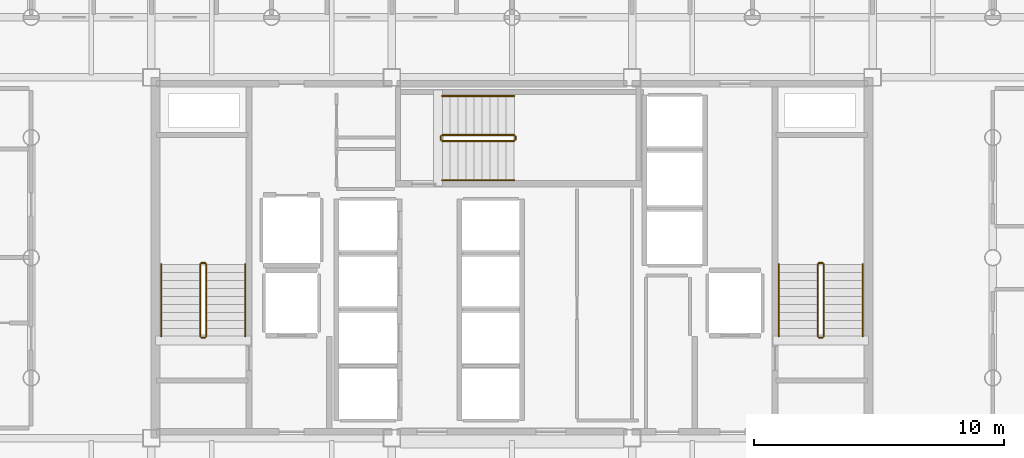
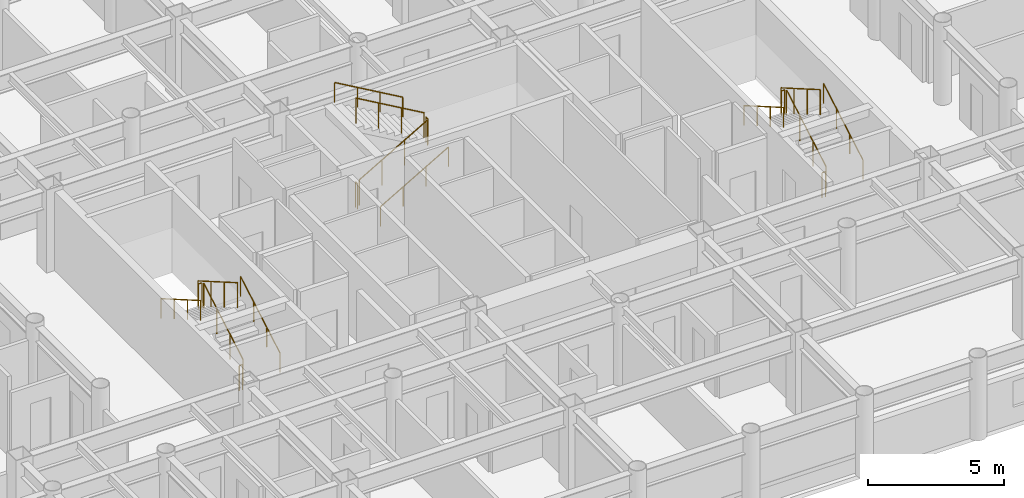
# One storey, part 22 of 22: 18 railings.
"""IFC4 building model written with IfcOpenShell, lengths in metres."""

from ifc_helpers import new_model, si_unit, direction, frame, origin, origin_2d, place, context, subcontext, project, spatial, circle, extrude, material, layer, layer_set, type_object, element, save


model = new_model("IFC4")

# Units and contexts
model_context = context("Model", 3, precision=1e-05, world=origin(), true_north=direction((0.0, 1.0)))
body_context = subcontext(model_context, "Body", "Model", "MODEL_VIEW")
ifc_project = project(units=[si_unit("LENGTHUNIT", "METRE"), si_unit("AREAUNIT", "SQUARE_METRE"), si_unit("VOLUMEUNIT", "CUBIC_METRE"), si_unit("PLANEANGLEUNIT", "RADIAN"), si_unit("MASSUNIT", "GRAM", prefix="KILO")], contexts=[model_context])

# Site, building, storey
site_placement = place(None, origin())
site = spatial("IfcSite", under=ifc_project, at=site_placement, CompositionType="ELEMENT")
building_placement = place(site_placement, origin())
building = spatial("IfcBuilding", under=site, at=building_placement, Name="Kallvorn Hotel Tower", CompositionType="ELEMENT")
storey_placement = place(building_placement, frame((0.0, 0.0, 110.0)))
storey = spatial("IfcBuildingStorey", under=building, at=storey_placement, Name="L26", CompositionType="ELEMENT", Elevation=110.0)

# Railings
ifc_material_1 = material(Name="Brushed stainless-steel tubular railing", Category="steel")
ifc_layer_1 = layer(ifc_material_1, 0.050048828125)
ifc_layer_set_1 = layer_set([ifc_layer_1], Name="RL_STAIR_GUARD")
railing_type_1 = type_object("IfcRailingType", Name="RL_STAIR_GUARD", PredefinedType="GUARDRAIL", material=ifc_layer_set_1)
railing_1_placement = place(storey_placement, frame((-12.2099609375, -3.139892578125, 0.18505859375)))
element("IfcRailing", 1, at=railing_1_placement, inside=storey, type_object=railing_type_1, Name="L26 ST1 stair guard 1", PredefinedType="GUARDRAIL", context=body_context, shape_type="SweptSolid", body=[
    extrude(circle(Radius=0.02392578125, at=origin_2d()), frame((0.0, 0.0, 1.1259765625), z_axis=(0.0, 0.865720918037, 0.500527014328), x_axis=(-1.0, 0.0, 0.0)), (0.0, 0.0, 1.0), 3.32666015625),
    extrude(circle(Radius=0.02099609375, at=origin_2d()), origin(), (0.0, 0.0, 1.0), 1.101806640625),
    extrude(circle(Radius=0.02099609375, at=origin_2d()), frame((0.0, 0.9599609375, 0.554931640625)), (0.0, 0.0, 1.0), 1.101806640625),
    extrude(circle(Radius=0.02099609375, at=origin_2d()), frame((0.0, 1.919921875, 1.110107421875)), (0.0, 0.0, 1.0), 1.101806640625),
    extrude(circle(Radius=0.02099609375, at=origin_2d()), frame((0.0, 2.8798828125, 1.6650390625)), (0.0, 0.0, 1.0), 1.101806640625),
])
railing_2_placement = place(storey_placement, frame((-12.260009765625, -0.2099609375, 1.85009765625)))
element("IfcRailing", 2, at=railing_2_placement, inside=storey, type_object=railing_type_1, Name="L26 ST1 stair guard 2", PredefinedType="GUARDRAIL", context=body_context, shape_type="SweptSolid", body=[
    extrude(circle(Radius=0.02392578125, at=origin_2d()), frame((0.0, 0.0, 1.1259765625), z_axis=(-1.0, 0.0, 0.0), x_axis=(0.0, -1.0, 0.0)), (0.0, 0.0, 1.0), 0.139892578125),
    extrude(circle(Radius=0.02099609375, at=origin_2d()), origin(), (0.0, 0.0, 1.0), 1.101806640625),
    extrude(circle(Radius=0.02099609375, at=origin_2d()), frame((-0.139892578125, 0.0, 0.0)), (0.0, 0.0, 1.0), 1.101806640625),
])
railing_3_placement = place(storey_placement, frame((-12.449951171875, -0.260009765625, 2.034912109375)))
element("IfcRailing", 3, at=railing_3_placement, inside=storey, type_object=railing_type_1, Name="L26 ST1 stair guard 3", PredefinedType="GUARDRAIL", context=body_context, shape_type="SweptSolid", body=[
    extrude(circle(Radius=0.02392578125, at=origin_2d()), frame((0.0, 0.0, 1.1259765625), z_axis=(0.0, -0.865720918037, 0.500527014328), x_axis=(1.0, 0.0, 0.0)), (0.0, 0.0, 1.0), 3.32666015625),
    extrude(circle(Radius=0.02099609375, at=origin_2d()), origin(), (0.0, 0.0, 1.0), 1.101806640625),
    extrude(circle(Radius=0.02099609375, at=origin_2d()), frame((0.0, -0.9599609375, 0.554931640625)), (0.0, 0.0, 1.0), 1.101806640625),
    extrude(circle(Radius=0.02099609375, at=origin_2d()), frame((0.0, -1.919921875, 1.110107421875)), (0.0, 0.0, 1.0), 1.101806640625),
    extrude(circle(Radius=0.02099609375, at=origin_2d()), frame((0.0, -2.8798828125, 1.6650390625)), (0.0, 0.0, 1.0), 1.101806640625),
])
railing_4_placement = place(storey_placement, frame((-12.260009765625, -3.18994140625, 0.0)))
element("IfcRailing", 4, at=railing_4_placement, inside=storey, type_object=railing_type_1, Name="L26 ST1 stair guard 4", PredefinedType="GUARDRAIL", context=body_context, shape_type="SweptSolid", body=[
    extrude(circle(Radius=0.02392578125, at=origin_2d()), frame((0.0, 0.0, 1.1259765625), z_axis=(-1.0, 0.0, 0.0), x_axis=(0.0, -1.0, 0.0)), (0.0, 0.0, 1.0), 0.139892578125),
    extrude(circle(Radius=0.02099609375, at=origin_2d()), origin(), (0.0, 0.0, 1.0), 1.101806640625),
    extrude(circle(Radius=0.02099609375, at=origin_2d()), frame((-0.139892578125, 0.0, 0.0)), (0.0, 0.0, 1.0), 1.101806640625),
])
railing_5_placement = place(storey_placement, frame((12.449951171875, -3.139892578125, 0.18505859375)))
element("IfcRailing", 5, at=railing_5_placement, inside=storey, type_object=railing_type_1, Name="L26 ST2 stair guard 1", PredefinedType="GUARDRAIL", context=body_context, shape_type="SweptSolid", body=[
    extrude(circle(Radius=0.02392578125, at=origin_2d()), frame((0.0, 0.0, 1.1259765625), z_axis=(0.0, 0.865720918037, 0.500527014328), x_axis=(-1.0, 0.0, 0.0)), (0.0, 0.0, 1.0), 3.32666015625),
    extrude(circle(Radius=0.02099609375, at=origin_2d()), origin(), (0.0, 0.0, 1.0), 1.101806640625),
    extrude(circle(Radius=0.02099609375, at=origin_2d()), frame((0.0, 0.9599609375, 0.554931640625)), (0.0, 0.0, 1.0), 1.101806640625),
    extrude(circle(Radius=0.02099609375, at=origin_2d()), frame((0.0, 1.919921875, 1.110107421875)), (0.0, 0.0, 1.0), 1.101806640625),
    extrude(circle(Radius=0.02099609375, at=origin_2d()), frame((0.0, 2.8798828125, 1.6650390625)), (0.0, 0.0, 1.0), 1.101806640625),
])
railing_6_placement = place(storey_placement, frame((12.39990234375, -0.2099609375, 1.85009765625)))
element("IfcRailing", 6, at=railing_6_placement, inside=storey, type_object=railing_type_1, Name="L26 ST2 stair guard 2", PredefinedType="GUARDRAIL", context=body_context, shape_type="SweptSolid", body=[
    extrude(circle(Radius=0.02392578125, at=origin_2d()), frame((0.0, 0.0, 1.1259765625), z_axis=(-1.0, 0.0, 0.0), x_axis=(0.0, -1.0, 0.0)), (0.0, 0.0, 1.0), 0.139892578125),
    extrude(circle(Radius=0.02099609375, at=origin_2d()), origin(), (0.0, 0.0, 1.0), 1.101806640625),
    extrude(circle(Radius=0.02099609375, at=origin_2d()), frame((-0.139892578125, 0.0, 0.0)), (0.0, 0.0, 1.0), 1.101806640625),
])
railing_7_placement = place(storey_placement, frame((12.2099609375, -0.260009765625, 2.034912109375)))
element("IfcRailing", 7, at=railing_7_placement, inside=storey, type_object=railing_type_1, Name="L26 ST2 stair guard 3", PredefinedType="GUARDRAIL", context=body_context, shape_type="SweptSolid", body=[
    extrude(circle(Radius=0.02392578125, at=origin_2d()), frame((0.0, 0.0, 1.1259765625), z_axis=(0.0, -0.865720918037, 0.500527014328), x_axis=(1.0, 0.0, 0.0)), (0.0, 0.0, 1.0), 3.32666015625),
    extrude(circle(Radius=0.02099609375, at=origin_2d()), origin(), (0.0, 0.0, 1.0), 1.101806640625),
    extrude(circle(Radius=0.02099609375, at=origin_2d()), frame((0.0, -0.9599609375, 0.554931640625)), (0.0, 0.0, 1.0), 1.101806640625),
    extrude(circle(Radius=0.02099609375, at=origin_2d()), frame((0.0, -1.919921875, 1.110107421875)), (0.0, 0.0, 1.0), 1.101806640625),
    extrude(circle(Radius=0.02099609375, at=origin_2d()), frame((0.0, -2.8798828125, 1.6650390625)), (0.0, 0.0, 1.0), 1.101806640625),
])
railing_8_placement = place(storey_placement, frame((12.39990234375, -3.18994140625, 0.0)))
element("IfcRailing", 8, at=railing_8_placement, inside=storey, type_object=railing_type_1, Name="L26 ST2 stair guard 4", PredefinedType="GUARDRAIL", context=body_context, shape_type="SweptSolid", body=[
    extrude(circle(Radius=0.02392578125, at=origin_2d()), frame((0.0, 0.0, 1.1259765625), z_axis=(-1.0, 0.0, 0.0), x_axis=(0.0, -1.0, 0.0)), (0.0, 0.0, 1.0), 0.139892578125),
    extrude(circle(Radius=0.02099609375, at=origin_2d()), origin(), (0.0, 0.0, 1.0), 1.101806640625),
    extrude(circle(Radius=0.02099609375, at=origin_2d()), frame((-0.139892578125, 0.0, 0.0)), (0.0, 0.0, 1.0), 1.101806640625),
])
railing_9_placement = place(storey_placement, frame((-2.7900390625, 4.659912109375, 0.18505859375)))
element("IfcRailing", 9, at=railing_9_placement, inside=storey, type_object=railing_type_1, Name="L26 ST3 stair guard 1", PredefinedType="GUARDRAIL", context=body_context, shape_type="SweptSolid", body=[
    extrude(circle(Radius=0.02392578125, at=origin_2d()), frame((0.0, 0.0, 1.1259765625), z_axis=(0.865739302748, 0.0, 0.50049521444), x_axis=(0.0, 1.0, 0.0)), (0.0, 0.0, 1.0), 3.326904296875),
    extrude(circle(Radius=0.02099609375, at=origin_2d()), origin(), (0.0, 0.0, 1.0), 1.101806640625),
    extrude(circle(Radius=0.02099609375, at=origin_2d()), frame((0.9599609375, 0.0, 0.554931640625)), (0.0, 0.0, 1.0), 1.101806640625),
    extrude(circle(Radius=0.02099609375, at=origin_2d()), frame((1.920166015625, 0.0, 1.110107421875)), (0.0, 0.0, 1.0), 1.101806640625),
    extrude(circle(Radius=0.02099609375, at=origin_2d()), frame((2.880126953125, 0.0, 1.6650390625)), (0.0, 0.0, 1.0), 1.101806640625),
])
railing_10_placement = place(storey_placement, frame((0.139892578125, 4.7099609375, 1.85009765625)))
element("IfcRailing", 10, at=railing_10_placement, inside=storey, type_object=railing_type_1, Name="L26 ST3 stair guard 2", PredefinedType="GUARDRAIL", context=body_context, shape_type="SweptSolid", body=[
    extrude(circle(Radius=0.02392578125, at=origin_2d()), frame((0.0, 0.0, 1.1259765625), z_axis=(0.0, 1.0, 0.0), x_axis=(-1.0, 0.0, 0.0)), (0.0, 0.0, 1.0), 0.14013671875),
    extrude(circle(Radius=0.02099609375, at=origin_2d()), origin(), (0.0, 0.0, 1.0), 1.101806640625),
    extrude(circle(Radius=0.02099609375, at=origin_2d()), frame((0.0, 0.14013671875, 0.0)), (0.0, 0.0, 1.0), 1.101806640625),
])
railing_11_placement = place(storey_placement, frame((0.090087890625, 4.89990234375, 2.034912109375)))
element("IfcRailing", 11, at=railing_11_placement, inside=storey, type_object=railing_type_1, Name="L26 ST3 stair guard 3", PredefinedType="GUARDRAIL", context=body_context, shape_type="SweptSolid", body=[
    extrude(circle(Radius=0.02392578125, at=origin_2d()), frame((0.0, 0.0, 1.1259765625), z_axis=(-0.865739302748, 0.0, 0.50049521444), x_axis=(0.0, -1.0, 0.0)), (0.0, 0.0, 1.0), 3.326904296875),
    extrude(circle(Radius=0.02099609375, at=origin_2d()), origin(), (0.0, 0.0, 1.0), 1.101806640625),
    extrude(circle(Radius=0.02099609375, at=origin_2d()), frame((-0.9599609375, 0.0, 0.554931640625)), (0.0, 0.0, 1.0), 1.101806640625),
    extrude(circle(Radius=0.02099609375, at=origin_2d()), frame((-1.920166015625, 0.0, 1.110107421875)), (0.0, 0.0, 1.0), 1.101806640625),
    extrude(circle(Radius=0.02099609375, at=origin_2d()), frame((-2.880126953125, 0.0, 1.6650390625)), (0.0, 0.0, 1.0), 1.101806640625),
])
railing_12_placement = place(storey_placement, frame((-2.840087890625, 4.7099609375, 0.0)))
element("IfcRailing", 12, at=railing_12_placement, inside=storey, type_object=railing_type_1, Name="L26 ST3 stair guard 4", PredefinedType="GUARDRAIL", context=body_context, shape_type="SweptSolid", body=[
    extrude(circle(Radius=0.02392578125, at=origin_2d()), frame((0.0, 0.0, 1.1259765625), z_axis=(0.0, 1.0, 0.0), x_axis=(-1.0, 0.0, 0.0)), (0.0, 0.0, 1.0), 0.14013671875),
    extrude(circle(Radius=0.02099609375, at=origin_2d()), origin(), (0.0, 0.0, 1.0), 1.101806640625),
    extrude(circle(Radius=0.02099609375, at=origin_2d()), frame((0.0, 0.14013671875, 0.0)), (0.0, 0.0, 1.0), 1.101806640625),
])
ifc_material_2 = material(Name="Brushed stainless-steel tubular railing", Category="steel")
ifc_layer_2 = layer(ifc_material_2, 0.050048828125)
ifc_layer_set_2 = layer_set([ifc_layer_2], Name="RL_STAIR_HAND")
railing_type_2 = type_object("IfcRailingType", Name="RL_STAIR_HAND", PredefinedType="HANDRAIL", material=ifc_layer_set_2)
railing_13_placement = place(storey_placement, frame((-10.64990234375, -3.139892578125, 0.18505859375)))
element("IfcRailing", 13, at=railing_13_placement, inside=storey, type_object=railing_type_2, Name="L26 ST1 stair handrail 1", PredefinedType="HANDRAIL", context=body_context, shape_type="SweptSolid", body=[
    extrude(circle(Radius=0.02392578125, at=origin_2d()), frame((0.0, 0.0, 0.8759765625), z_axis=(0.0, 0.865720918037, 0.500527014328), x_axis=(-1.0, 0.0, 0.0)), (0.0, 0.0, 1.0), 3.32666015625),
    extrude(circle(Radius=0.02099609375, at=origin_2d()), origin(), (0.0, 0.0, 1.0), 0.851806640625),
    extrude(circle(Radius=0.02099609375, at=origin_2d()), frame((0.0, 0.9599609375, 0.554931640625)), (0.0, 0.0, 1.0), 0.851806640625),
    extrude(circle(Radius=0.02099609375, at=origin_2d()), frame((0.0, 1.919921875, 1.110107421875)), (0.0, 0.0, 1.0), 0.851806640625),
    extrude(circle(Radius=0.02099609375, at=origin_2d()), frame((0.0, 2.8798828125, 1.6650390625)), (0.0, 0.0, 1.0), 0.851806640625),
])
railing_14_placement = place(storey_placement, frame((-14.010009765625, -0.260009765625, 2.034912109375)))
element("IfcRailing", 14, at=railing_14_placement, inside=storey, type_object=railing_type_2, Name="L26 ST1 stair handrail 2", PredefinedType="HANDRAIL", context=body_context, shape_type="SweptSolid", body=[
    extrude(circle(Radius=0.02392578125, at=origin_2d()), frame((0.0, 0.0, 0.8759765625), z_axis=(0.0, -0.865720918037, 0.500527014328), x_axis=(1.0, 0.0, 0.0)), (0.0, 0.0, 1.0), 3.32666015625),
    extrude(circle(Radius=0.02099609375, at=origin_2d()), origin(), (0.0, 0.0, 1.0), 0.851806640625),
    extrude(circle(Radius=0.02099609375, at=origin_2d()), frame((0.0, -0.9599609375, 0.554931640625)), (0.0, 0.0, 1.0), 0.851806640625),
    extrude(circle(Radius=0.02099609375, at=origin_2d()), frame((0.0, -1.919921875, 1.110107421875)), (0.0, 0.0, 1.0), 0.851806640625),
    extrude(circle(Radius=0.02099609375, at=origin_2d()), frame((0.0, -2.8798828125, 1.6650390625)), (0.0, 0.0, 1.0), 0.851806640625),
])
railing_15_placement = place(storey_placement, frame((14.010009765625, -3.139892578125, 0.18505859375)))
element("IfcRailing", 15, at=railing_15_placement, inside=storey, type_object=railing_type_2, Name="L26 ST2 stair handrail 1", PredefinedType="HANDRAIL", context=body_context, shape_type="SweptSolid", body=[
    extrude(circle(Radius=0.02392578125, at=origin_2d()), frame((0.0, 0.0, 0.8759765625), z_axis=(0.0, 0.865720918037, 0.500527014328), x_axis=(-1.0, 0.0, 0.0)), (0.0, 0.0, 1.0), 3.32666015625),
    extrude(circle(Radius=0.02099609375, at=origin_2d()), origin(), (0.0, 0.0, 1.0), 0.851806640625),
    extrude(circle(Radius=0.02099609375, at=origin_2d()), frame((0.0, 0.9599609375, 0.554931640625)), (0.0, 0.0, 1.0), 0.851806640625),
    extrude(circle(Radius=0.02099609375, at=origin_2d()), frame((0.0, 1.919921875, 1.110107421875)), (0.0, 0.0, 1.0), 0.851806640625),
    extrude(circle(Radius=0.02099609375, at=origin_2d()), frame((0.0, 2.8798828125, 1.6650390625)), (0.0, 0.0, 1.0), 0.851806640625),
])
railing_16_placement = place(storey_placement, frame((10.64990234375, -0.260009765625, 2.034912109375)))
element("IfcRailing", 16, at=railing_16_placement, inside=storey, type_object=railing_type_2, Name="L26 ST2 stair handrail 2", PredefinedType="HANDRAIL", context=body_context, shape_type="SweptSolid", body=[
    extrude(circle(Radius=0.02392578125, at=origin_2d()), frame((0.0, 0.0, 0.8759765625), z_axis=(0.0, -0.865720918037, 0.500527014328), x_axis=(1.0, 0.0, 0.0)), (0.0, 0.0, 1.0), 3.32666015625),
    extrude(circle(Radius=0.02099609375, at=origin_2d()), origin(), (0.0, 0.0, 1.0), 0.851806640625),
    extrude(circle(Radius=0.02099609375, at=origin_2d()), frame((0.0, -0.9599609375, 0.554931640625)), (0.0, 0.0, 1.0), 0.851806640625),
    extrude(circle(Radius=0.02099609375, at=origin_2d()), frame((0.0, -1.919921875, 1.110107421875)), (0.0, 0.0, 1.0), 0.851806640625),
    extrude(circle(Radius=0.02099609375, at=origin_2d()), frame((0.0, -2.8798828125, 1.6650390625)), (0.0, 0.0, 1.0), 0.851806640625),
])
railing_17_placement = place(storey_placement, frame((-2.7900390625, 3.10009765625, 0.18505859375)))
element("IfcRailing", 17, at=railing_17_placement, inside=storey, type_object=railing_type_2, Name="L26 ST3 stair handrail 1", PredefinedType="HANDRAIL", context=body_context, shape_type="SweptSolid", body=[
    extrude(circle(Radius=0.02392578125, at=origin_2d()), frame((0.0, 0.0, 0.8759765625), z_axis=(0.865739302748, 0.0, 0.50049521444), x_axis=(0.0, 1.0, 0.0)), (0.0, 0.0, 1.0), 3.326904296875),
    extrude(circle(Radius=0.02099609375, at=origin_2d()), origin(), (0.0, 0.0, 1.0), 0.851806640625),
    extrude(circle(Radius=0.02099609375, at=origin_2d()), frame((0.9599609375, 0.0, 0.554931640625)), (0.0, 0.0, 1.0), 0.851806640625),
    extrude(circle(Radius=0.02099609375, at=origin_2d()), frame((1.920166015625, 0.0, 1.110107421875)), (0.0, 0.0, 1.0), 0.851806640625),
    extrude(circle(Radius=0.02099609375, at=origin_2d()), frame((2.880126953125, 0.0, 1.6650390625)), (0.0, 0.0, 1.0), 0.851806640625),
])
railing_18_placement = place(storey_placement, frame((0.090087890625, 6.4599609375, 2.034912109375)))
element("IfcRailing", 18, at=railing_18_placement, inside=storey, type_object=railing_type_2, Name="L26 ST3 stair handrail 2", PredefinedType="HANDRAIL", context=body_context, shape_type="SweptSolid", body=[
    extrude(circle(Radius=0.02392578125, at=origin_2d()), frame((0.0, 0.0, 0.8759765625), z_axis=(-0.865739302748, 0.0, 0.50049521444), x_axis=(0.0, -1.0, 0.0)), (0.0, 0.0, 1.0), 3.326904296875),
    extrude(circle(Radius=0.02099609375, at=origin_2d()), origin(), (0.0, 0.0, 1.0), 0.851806640625),
    extrude(circle(Radius=0.02099609375, at=origin_2d()), frame((-0.9599609375, 0.0, 0.554931640625)), (0.0, 0.0, 1.0), 0.851806640625),
    extrude(circle(Radius=0.02099609375, at=origin_2d()), frame((-1.920166015625, 0.0, 1.110107421875)), (0.0, 0.0, 1.0), 0.851806640625),
    extrude(circle(Radius=0.02099609375, at=origin_2d()), frame((-2.880126953125, 0.0, 1.6650390625)), (0.0, 0.0, 1.0), 0.851806640625),
])

save(model, "model.ifc")
